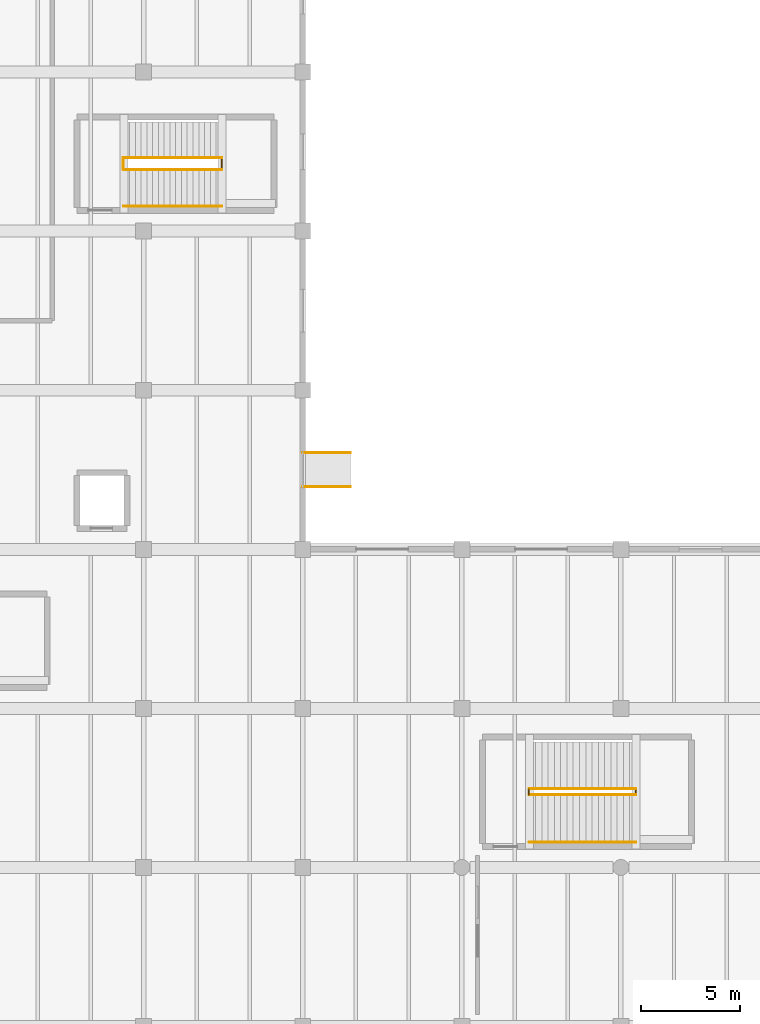
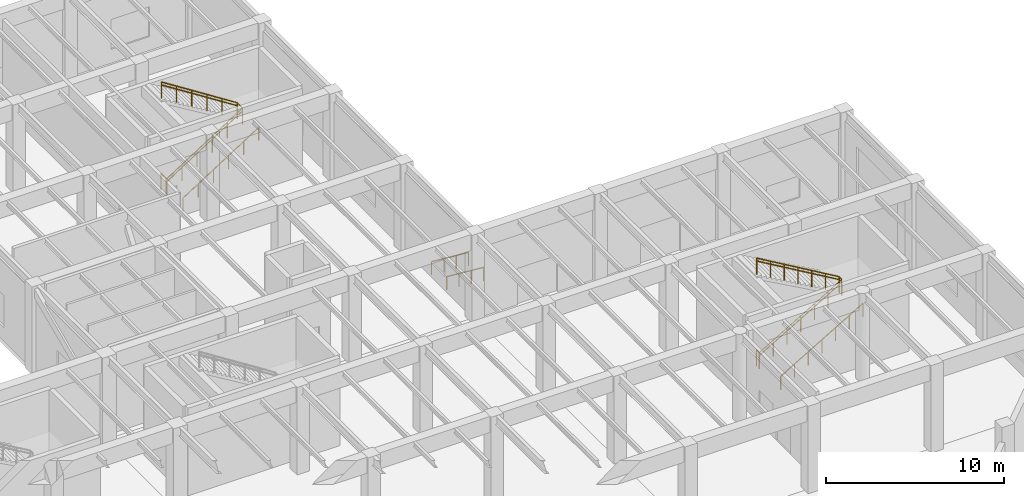
# One storey, part 50 of 51: 14 railings.
"""IFC4 building model written with IfcOpenShell, lengths in metres."""

from ifc_helpers import new_model, si_unit, direction, frame, origin, origin_2d, place, context, subcontext, project, spatial, circle, extrude, material, type_object, element, save


model = new_model("IFC4")

# Units and contexts
model_context = context("Model", 3, precision=1e-05, world=origin(), true_north=direction((0.0, 1.0)))
body_context = subcontext(model_context, "Body", "Model", "MODEL_VIEW")
ifc_project = project(units=[si_unit("LENGTHUNIT", "METRE"), si_unit("AREAUNIT", "SQUARE_METRE"), si_unit("VOLUMEUNIT", "CUBIC_METRE"), si_unit("PLANEANGLEUNIT", "RADIAN"), si_unit("MASSUNIT", "GRAM", prefix="KILO")], contexts=[model_context])

# Site, building, storey
site_placement = place(None, origin())
site = spatial("IfcSite", under=ifc_project, at=site_placement, CompositionType="ELEMENT")
building_placement = place(site_placement, origin())
building = spatial("IfcBuilding", under=site, at=building_placement, Name="Varnela Railside Interchange", CompositionType="ELEMENT")
storey_placement = place(building_placement, origin())
storey = spatial("IfcBuildingStorey", under=building, at=storey_placement, Name="L00", CompositionType="ELEMENT", Elevation=0.0)

# Railings
ifc_material = material(Name="Steel AR 350 (350 MPa)", Category="steel")
railing_type_1 = type_object("IfcRailingType", Name="Stair & Ramp Pitch Handrail HR-01", PredefinedType="HANDRAIL", material=ifc_material)
railing_1_placement = place(storey_placement, frame((131.0, 81.10009765625, 0.0)))
element("IfcRailing", 1, at=railing_1_placement, inside=storey, type_object=railing_type_1, Name="Stair Handrail ST-E2 Flight 1 (RL-0226)", PredefinedType="HANDRAIL", context=body_context, shape_type="SweptSolid", body=[
    extrude(circle(Radius=0.02392578125, at=origin_2d()), frame((0.0, 0.0, 0.89599609375), z_axis=(0.842678903752, 0.0, 0.538416442144), x_axis=(0.0, 1.0, 0.0)), (0.0, 0.0, 1.0), 5.850341796875),
    extrude(circle(Radius=0.02099609375, at=origin_2d()), origin(), (0.0, 0.0, 1.0), 0.871826171875),
    extrude(circle(Radius=0.02099609375, at=origin_2d()), frame((0.986083984375, 0.0, 0.6298828125)), (0.0, 0.0, 1.0), 0.871826171875),
    extrude(circle(Radius=0.02099609375, at=origin_2d()), frame((1.971923828125, 0.0, 1.260009765625)), (0.0, 0.0, 1.0), 0.871826171875),
    extrude(circle(Radius=0.02099609375, at=origin_2d()), frame((2.9580078125, 0.0, 1.889892578125)), (0.0, 0.0, 1.0), 0.871826171875),
    extrude(circle(Radius=0.02099609375, at=origin_2d()), frame((3.94384765625, 0.0, 2.52001953125)), (0.0, 0.0, 1.0), 0.871826171875),
    extrude(circle(Radius=0.02099609375, at=origin_2d()), frame((4.929931640625, 0.0, 3.14990234375)), (0.0, 0.0, 1.0), 0.871826171875),
])
railing_2_placement = place(storey_placement, frame((135.929931640625, 81.699951171875, 3.14990234375)))
element("IfcRailing", 2, at=railing_2_placement, inside=storey, type_object=railing_type_1, Name="Stair Handrail ST-E2 Flight 2 (RL-0227)", PredefinedType="HANDRAIL", context=body_context, shape_type="SweptSolid", body=[
    extrude(circle(Radius=0.02392578125, at=origin_2d()), frame((0.0, 0.0, 0.89599609375), z_axis=(-0.842659969685, 0.0, 0.538446074821), x_axis=(0.0, -1.0, 0.0)), (0.0, 0.0, 1.0), 5.850341796875),
    extrude(circle(Radius=0.02099609375, at=origin_2d()), origin(), (0.0, 0.0, 1.0), 0.871826171875),
    extrude(circle(Radius=0.02099609375, at=origin_2d()), frame((-0.986083984375, 0.0, 0.630126953125)), (0.0, 0.0, 1.0), 0.871826171875),
    extrude(circle(Radius=0.02099609375, at=origin_2d()), frame((-1.971923828125, 0.0, 1.260009765625)), (0.0, 0.0, 1.0), 0.871826171875),
    extrude(circle(Radius=0.02099609375, at=origin_2d()), frame((-2.9580078125, 0.0, 1.89013671875)), (0.0, 0.0, 1.0), 0.871826171875),
    extrude(circle(Radius=0.02099609375, at=origin_2d()), frame((-3.94384765625, 0.0, 2.52001953125)), (0.0, 0.0, 1.0), 0.871826171875),
    extrude(circle(Radius=0.02099609375, at=origin_2d()), frame((-4.929931640625, 0.0, 3.150146484375)), (0.0, 0.0, 1.0), 0.871826171875),
])
railing_3_placement = place(storey_placement, frame((151.39990234375, 49.64990234375, 0.0)))
element("IfcRailing", 3, at=railing_3_placement, inside=storey, type_object=railing_type_1, Name="Stair Handrail ST-E3 Flight 1 (RL-0228)", PredefinedType="HANDRAIL", context=body_context, shape_type="SweptSolid", body=[
    extrude(circle(Radius=0.02392578125, at=origin_2d()), frame((0.0, 0.0, 0.89599609375), z_axis=(0.861940276329, 0.0, 0.507009822431), x_axis=(0.0, 1.0, 0.0)), (0.0, 0.0, 1.0), 6.212646484375),
    extrude(circle(Radius=0.02099609375, at=origin_2d()), origin(), (0.0, 0.0, 1.0), 0.871826171875),
    extrude(circle(Radius=0.02099609375, at=origin_2d()), frame((0.892578125, 0.0, 0.52490234375)), (0.0, 0.0, 1.0), 0.871826171875),
    extrude(circle(Radius=0.02099609375, at=origin_2d()), frame((1.784912109375, 0.0, 1.050048828125)), (0.0, 0.0, 1.0), 0.871826171875),
    extrude(circle(Radius=0.02099609375, at=origin_2d()), frame((2.677490234375, 0.0, 1.574951171875)), (0.0, 0.0, 1.0), 0.871826171875),
    extrude(circle(Radius=0.02099609375, at=origin_2d()), frame((3.570068359375, 0.0, 2.099853515625)), (0.0, 0.0, 1.0), 0.871826171875),
    extrude(circle(Radius=0.02099609375, at=origin_2d()), frame((4.46240234375, 0.0, 2.625)), (0.0, 0.0, 1.0), 0.871826171875),
    extrude(circle(Radius=0.02099609375, at=origin_2d()), frame((5.35498046875, 0.0, 3.14990234375)), (0.0, 0.0, 1.0), 0.871826171875),
])
railing_4_placement = place(storey_placement, frame((156.7548828125, 49.949951171875, 3.14990234375)))
element("IfcRailing", 4, at=railing_4_placement, inside=storey, type_object=railing_type_1, Name="Stair Handrail ST-E3 Flight 2 (RL-0229)", PredefinedType="HANDRAIL", context=body_context, shape_type="SweptSolid", body=[
    extrude(circle(Radius=0.02392578125, at=origin_2d()), frame((0.0, 0.0, 0.89599609375), z_axis=(-0.861923102912, 0.0, 0.507039016908), x_axis=(0.0, -1.0, 0.0)), (0.0, 0.0, 1.0), 6.212890625),
    extrude(circle(Radius=0.02099609375, at=origin_2d()), origin(), (0.0, 0.0, 1.0), 0.871826171875),
    extrude(circle(Radius=0.02099609375, at=origin_2d()), frame((-0.892578125, 0.0, 0.52490234375)), (0.0, 0.0, 1.0), 0.871826171875),
    extrude(circle(Radius=0.02099609375, at=origin_2d()), frame((-1.784912109375, 0.0, 1.050048828125)), (0.0, 0.0, 1.0), 0.871826171875),
    extrude(circle(Radius=0.02099609375, at=origin_2d()), frame((-2.677490234375, 0.0, 1.5751953125)), (0.0, 0.0, 1.0), 0.871826171875),
    extrude(circle(Radius=0.02099609375, at=origin_2d()), frame((-3.570068359375, 0.0, 2.10009765625)), (0.0, 0.0, 1.0), 0.871826171875),
    extrude(circle(Radius=0.02099609375, at=origin_2d()), frame((-4.46240234375, 0.0, 2.625)), (0.0, 0.0, 1.0), 0.871826171875),
    extrude(circle(Radius=0.02099609375, at=origin_2d()), frame((-5.35498046875, 0.0, 3.150146484375)), (0.0, 0.0, 1.0), 0.871826171875),
])
for number, where, name in (
    (5, (142.39990234375, 65.14990234375, -0.199951171875), "Cycle Garden Accessible Ramp Handrail (S) (RL-0243)"),
    (6, (142.39990234375, 66.85009765625, -0.199951171875), "Cycle Garden Accessible Ramp Handrail (N) (RL-0242)"),
):
    element("IfcRailing", number, at=place(storey_placement, frame(where)), inside=storey, type_object=railing_type_1, Name=name, PredefinedType="HANDRAIL", context=body_context, shape_type="SweptSolid", body=[
        extrude(circle(Radius=0.02392578125, at=origin_2d()), frame((0.0, 0.0, 0.89599609375), z_axis=(-0.996547156423, 0.0, 0.083028700011), x_axis=(0.0, -1.0, 0.0)), (0.0, 0.0, 1.0), 2.408203125),
        extrude(circle(Radius=0.02099609375, at=origin_2d()), origin(), (0.0, 0.0, 1.0), 0.871826171875),
        extrude(circle(Radius=0.02099609375, at=origin_2d()), frame((-0.800048828125, 0.0, 0.066650390625)), (0.0, 0.0, 1.0), 0.871826171875),
        extrude(circle(Radius=0.02099609375, at=origin_2d()), frame((-1.599853515625, 0.0, 0.13330078125)), (0.0, 0.0, 1.0), 0.871826171875),
        extrude(circle(Radius=0.02099609375, at=origin_2d()), frame((-2.39990234375, 0.0, 0.199951171875)), (0.0, 0.0, 1.0), 0.871826171875),
    ])
railing_type_2 = type_object("IfcRailingType", Name="Stair Well & Landing Guard GR-02", PredefinedType="GUARDRAIL", material=ifc_material)
railing_5_placement = place(storey_placement, frame((130.969970703125, 81.10009765625, 0.0)))
element("IfcRailing", 7, at=railing_5_placement, inside=storey, type_object=railing_type_2, Name="Stair Well Slot Guard ST-E2 on L00 (RL-0190)", PredefinedType="GUARDRAIL", context=body_context, shape_type="SweptSolid", body=[
    extrude(circle(Radius=0.02392578125, at=origin_2d()), frame((0.0, 0.0, 1.09619140625), z_axis=(0.0, 1.0, 0.0), x_axis=(-1.0, 0.0, 0.0)), (0.0, 0.0, 1.0), 0.599853515625),
    extrude(circle(Radius=0.02099609375, at=origin_2d()), origin(), (0.0, 0.0, 1.0), 1.072021484375),
    extrude(circle(Radius=0.02099609375, at=origin_2d()), frame((0.0, 0.599853515625, 0.0)), (0.0, 0.0, 1.0), 1.072021484375),
])
railing_6_placement = place(storey_placement, frame((131.0, 81.10009765625, 0.0)))
element("IfcRailing", 8, at=railing_6_placement, inside=storey, type_object=railing_type_2, Name="Stair Guard ST-E2 Half-Landing (RL-0188)", PredefinedType="GUARDRAIL", context=body_context, shape_type="SweptSolid", body=[
    extrude(circle(Radius=0.02392578125, at=origin_2d()), frame((0.0, 0.0, 1.09619140625), z_axis=(0.842678903752, 0.0, 0.538416442144), x_axis=(0.0, 1.0, 0.0)), (0.0, 0.0, 1.0), 5.850341796875),
    extrude(circle(Radius=0.02392578125, at=origin_2d()), frame((4.929931640625, 0.0, 4.24609375), z_axis=(0.0, 1.0, 0.0), x_axis=(-1.0, 0.0, 0.0)), (0.0, 0.0, 1.0), 0.599853515625),
    extrude(circle(Radius=0.02099609375, at=origin_2d()), origin(), (0.0, 0.0, 1.0), 1.072021484375),
    extrude(circle(Radius=0.02099609375, at=origin_2d()), frame((0.986083984375, 0.0, 0.6298828125)), (0.0, 0.0, 1.0), 1.072021484375),
    extrude(circle(Radius=0.02099609375, at=origin_2d()), frame((1.971923828125, 0.0, 1.260009765625)), (0.0, 0.0, 1.0), 1.072021484375),
    extrude(circle(Radius=0.02099609375, at=origin_2d()), frame((2.9580078125, 0.0, 1.889892578125)), (0.0, 0.0, 1.0), 1.072021484375),
    extrude(circle(Radius=0.02099609375, at=origin_2d()), frame((3.94384765625, 0.0, 2.52001953125)), (0.0, 0.0, 1.0), 1.072021484375),
    extrude(circle(Radius=0.02099609375, at=origin_2d()), frame((4.929931640625, 0.0, 3.14990234375)), (0.0, 0.0, 1.0), 1.072021484375),
    extrude(circle(Radius=0.02099609375, at=origin_2d()), frame((4.929931640625, 0.599853515625, 3.14990234375)), (0.0, 0.0, 1.0), 1.072021484375),
])
railing_7_placement = place(storey_placement, frame((135.929931640625, 81.699951171875, 3.14990234375)))
element("IfcRailing", 9, at=railing_7_placement, inside=storey, type_object=railing_type_2, Name="Stair Guard ST-E2 Upper Flight (RL-0189)", PredefinedType="GUARDRAIL", context=body_context, shape_type="SweptSolid", body=[
    extrude(circle(Radius=0.02392578125, at=origin_2d()), frame((0.0, 0.0, 1.09619140625), z_axis=(-0.842659969685, 0.0, 0.538446074821), x_axis=(0.0, -1.0, 0.0)), (0.0, 0.0, 1.0), 5.850341796875),
    extrude(circle(Radius=0.02099609375, at=origin_2d()), origin(), (0.0, 0.0, 1.0), 1.072021484375),
    extrude(circle(Radius=0.02099609375, at=origin_2d()), frame((-0.986083984375, 0.0, 0.630126953125)), (0.0, 0.0, 1.0), 1.072021484375),
    extrude(circle(Radius=0.02099609375, at=origin_2d()), frame((-1.971923828125, 0.0, 1.260009765625)), (0.0, 0.0, 1.0), 1.072021484375),
    extrude(circle(Radius=0.02099609375, at=origin_2d()), frame((-2.9580078125, 0.0, 1.89013671875)), (0.0, 0.0, 1.0), 1.072021484375),
    extrude(circle(Radius=0.02099609375, at=origin_2d()), frame((-3.94384765625, 0.0, 2.52001953125)), (0.0, 0.0, 1.0), 1.072021484375),
    extrude(circle(Radius=0.02099609375, at=origin_2d()), frame((-4.929931640625, 0.0, 3.150146484375)), (0.0, 0.0, 1.0), 1.072021484375),
])
railing_8_placement = place(storey_placement, frame((151.3701171875, 49.64990234375, 0.0)))
element("IfcRailing", 10, at=railing_8_placement, inside=storey, type_object=railing_type_2, Name="Stair Well Slot Guard ST-E3 on L00 (RL-0193)", PredefinedType="GUARDRAIL", context=body_context, shape_type="SweptSolid", body=[
    extrude(circle(Radius=0.02392578125, at=origin_2d()), frame((0.0, 0.0, 1.09619140625), z_axis=(0.0, 1.0, 0.0), x_axis=(-1.0, 0.0, 0.0)), (0.0, 0.0, 1.0), 0.300048828125),
    extrude(circle(Radius=0.02099609375, at=origin_2d()), origin(), (0.0, 0.0, 1.0), 1.072021484375),
    extrude(circle(Radius=0.02099609375, at=origin_2d()), frame((0.0, 0.300048828125, 0.0)), (0.0, 0.0, 1.0), 1.072021484375),
])
railing_9_placement = place(storey_placement, frame((151.39990234375, 49.64990234375, 0.0)))
element("IfcRailing", 11, at=railing_9_placement, inside=storey, type_object=railing_type_2, Name="Stair Guard ST-E3 Half-Landing (RL-0191)", PredefinedType="GUARDRAIL", context=body_context, shape_type="SweptSolid", body=[
    extrude(circle(Radius=0.02392578125, at=origin_2d()), frame((0.0, 0.0, 1.09619140625), z_axis=(0.861940276329, 0.0, 0.507009822431), x_axis=(0.0, 1.0, 0.0)), (0.0, 0.0, 1.0), 6.212646484375),
    extrude(circle(Radius=0.02392578125, at=origin_2d()), frame((5.35498046875, 0.0, 4.24609375), z_axis=(0.0, 1.0, 0.0), x_axis=(-1.0, 0.0, 0.0)), (0.0, 0.0, 1.0), 0.300048828125),
    extrude(circle(Radius=0.02099609375, at=origin_2d()), origin(), (0.0, 0.0, 1.0), 1.072021484375),
    extrude(circle(Radius=0.02099609375, at=origin_2d()), frame((0.892578125, 0.0, 0.52490234375)), (0.0, 0.0, 1.0), 1.072021484375),
    extrude(circle(Radius=0.02099609375, at=origin_2d()), frame((1.784912109375, 0.0, 1.050048828125)), (0.0, 0.0, 1.0), 1.072021484375),
    extrude(circle(Radius=0.02099609375, at=origin_2d()), frame((2.677490234375, 0.0, 1.574951171875)), (0.0, 0.0, 1.0), 1.072021484375),
    extrude(circle(Radius=0.02099609375, at=origin_2d()), frame((3.570068359375, 0.0, 2.099853515625)), (0.0, 0.0, 1.0), 1.072021484375),
    extrude(circle(Radius=0.02099609375, at=origin_2d()), frame((4.46240234375, 0.0, 2.625)), (0.0, 0.0, 1.0), 1.072021484375),
    extrude(circle(Radius=0.02099609375, at=origin_2d()), frame((5.35498046875, 0.0, 3.14990234375)), (0.0, 0.0, 1.0), 1.072021484375),
    extrude(circle(Radius=0.02099609375, at=origin_2d()), frame((5.35498046875, 0.300048828125, 3.14990234375)), (0.0, 0.0, 1.0), 1.072021484375),
])
railing_10_placement = place(storey_placement, frame((156.7548828125, 49.949951171875, 3.14990234375)))
element("IfcRailing", 12, at=railing_10_placement, inside=storey, type_object=railing_type_2, Name="Stair Guard ST-E3 Upper Flight (RL-0192)", PredefinedType="GUARDRAIL", context=body_context, shape_type="SweptSolid", body=[
    extrude(circle(Radius=0.02392578125, at=origin_2d()), frame((0.0, 0.0, 1.09619140625), z_axis=(-0.861923102912, 0.0, 0.507039016908), x_axis=(0.0, -1.0, 0.0)), (0.0, 0.0, 1.0), 6.212890625),
    extrude(circle(Radius=0.02099609375, at=origin_2d()), origin(), (0.0, 0.0, 1.0), 1.072021484375),
    extrude(circle(Radius=0.02099609375, at=origin_2d()), frame((-0.892578125, 0.0, 0.52490234375)), (0.0, 0.0, 1.0), 1.072021484375),
    extrude(circle(Radius=0.02099609375, at=origin_2d()), frame((-1.784912109375, 0.0, 1.050048828125)), (0.0, 0.0, 1.0), 1.072021484375),
    extrude(circle(Radius=0.02099609375, at=origin_2d()), frame((-2.677490234375, 0.0, 1.5751953125)), (0.0, 0.0, 1.0), 1.072021484375),
    extrude(circle(Radius=0.02099609375, at=origin_2d()), frame((-3.570068359375, 0.0, 2.10009765625)), (0.0, 0.0, 1.0), 1.072021484375),
    extrude(circle(Radius=0.02099609375, at=origin_2d()), frame((-4.46240234375, 0.0, 2.625)), (0.0, 0.0, 1.0), 1.072021484375),
    extrude(circle(Radius=0.02099609375, at=origin_2d()), frame((-5.35498046875, 0.0, 3.150146484375)), (0.0, 0.0, 1.0), 1.072021484375),
])
railing_type_3 = type_object("IfcRailingType", Name="Wall-Mounted Stair Handrail HR-02", PredefinedType="HANDRAIL", material=ifc_material)
railing_11_placement = place(storey_placement, frame((131.0, 79.260009765625, 0.0)))
element("IfcRailing", 13, at=railing_11_placement, inside=storey, type_object=railing_type_3, Name="Wall Handrail ST-E2 Flight 1 (RL-0251)", PredefinedType="HANDRAIL", context=body_context, shape_type="SweptSolid", body=[
    extrude(circle(Radius=0.02392578125, at=origin_2d()), frame((0.0, 0.0, 0.89599609375), z_axis=(0.842678903752, 0.0, 0.538416442144), x_axis=(0.0, 1.0, 0.0)), (0.0, 0.0, 1.0), 5.850341796875),
    extrude(circle(Radius=0.02099609375, at=origin_2d()), origin(), (0.0, 0.0, 1.0), 0.871826171875),
    extrude(circle(Radius=0.02099609375, at=origin_2d()), frame((0.986083984375, 0.0, 0.6298828125)), (0.0, 0.0, 1.0), 0.871826171875),
    extrude(circle(Radius=0.02099609375, at=origin_2d()), frame((1.971923828125, 0.0, 1.260009765625)), (0.0, 0.0, 1.0), 0.871826171875),
    extrude(circle(Radius=0.02099609375, at=origin_2d()), frame((2.9580078125, 0.0, 1.889892578125)), (0.0, 0.0, 1.0), 0.871826171875),
    extrude(circle(Radius=0.02099609375, at=origin_2d()), frame((3.94384765625, 0.0, 2.52001953125)), (0.0, 0.0, 1.0), 0.871826171875),
    extrude(circle(Radius=0.02099609375, at=origin_2d()), frame((4.929931640625, 0.0, 3.14990234375)), (0.0, 0.0, 1.0), 0.871826171875),
])
railing_12_placement = place(storey_placement, frame((151.39990234375, 47.260009765625, 0.0)))
element("IfcRailing", 14, at=railing_12_placement, inside=storey, type_object=railing_type_3, Name="Wall Handrail ST-E3 Flight 1 (RL-0252)", PredefinedType="HANDRAIL", context=body_context, shape_type="SweptSolid", body=[
    extrude(circle(Radius=0.02392578125, at=origin_2d()), frame((0.0, 0.0, 0.89599609375), z_axis=(0.861940276329, 0.0, 0.507009822431), x_axis=(0.0, 1.0, 0.0)), (0.0, 0.0, 1.0), 6.212646484375),
    extrude(circle(Radius=0.02099609375, at=origin_2d()), origin(), (0.0, 0.0, 1.0), 0.871826171875),
    extrude(circle(Radius=0.02099609375, at=origin_2d()), frame((0.892578125, 0.0, 0.52490234375)), (0.0, 0.0, 1.0), 0.871826171875),
    extrude(circle(Radius=0.02099609375, at=origin_2d()), frame((1.784912109375, 0.0, 1.050048828125)), (0.0, 0.0, 1.0), 0.871826171875),
    extrude(circle(Radius=0.02099609375, at=origin_2d()), frame((2.677490234375, 0.0, 1.574951171875)), (0.0, 0.0, 1.0), 0.871826171875),
    extrude(circle(Radius=0.02099609375, at=origin_2d()), frame((3.570068359375, 0.0, 2.099853515625)), (0.0, 0.0, 1.0), 0.871826171875),
    extrude(circle(Radius=0.02099609375, at=origin_2d()), frame((4.46240234375, 0.0, 2.625)), (0.0, 0.0, 1.0), 0.871826171875),
    extrude(circle(Radius=0.02099609375, at=origin_2d()), frame((5.35498046875, 0.0, 3.14990234375)), (0.0, 0.0, 1.0), 0.871826171875),
])

save(model, "model.ifc")
